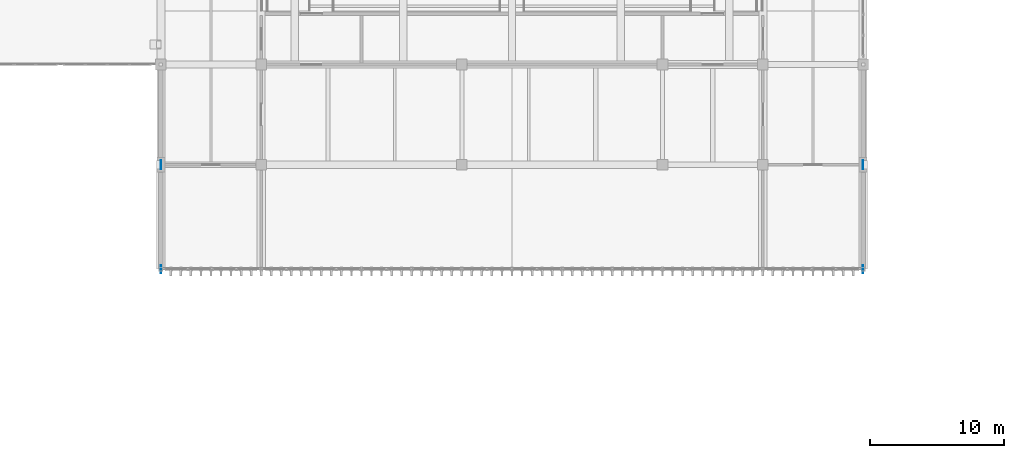
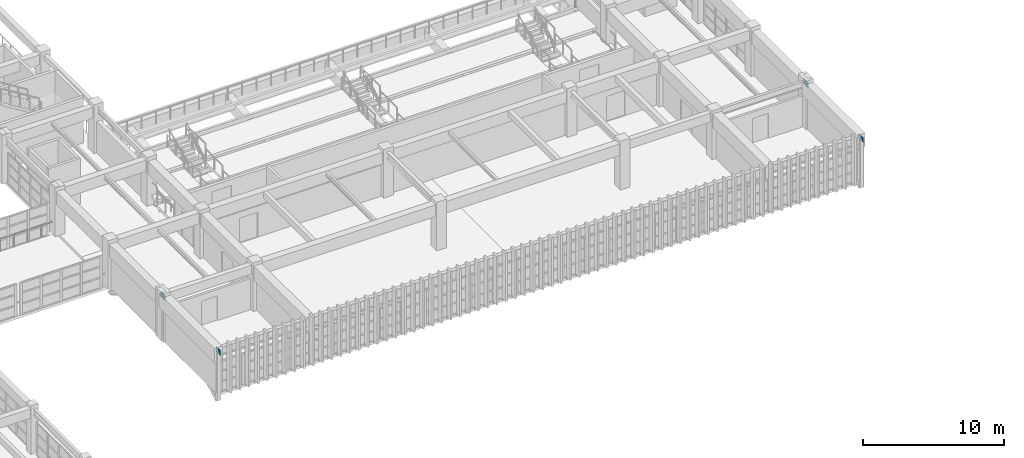
# One storey, part 87 of 124: 4 plates.
"""IFC4 building model written with IfcOpenShell, lengths in metres."""

from ifc_helpers import new_model, si_unit, direction, frame, origin, origin_2d, place, context, subcontext, project, spatial, rectangle, extrude, material, layer, layer_set, type_object, element, save


model = new_model("IFC4")

# Units and contexts
model_context = context("Model", 3, precision=1e-05, world=origin(), true_north=direction((0.0, 1.0)))
body_context = subcontext(model_context, "Body", "Model", "MODEL_VIEW")
ifc_project = project(units=[si_unit("LENGTHUNIT", "METRE"), si_unit("AREAUNIT", "SQUARE_METRE"), si_unit("VOLUMEUNIT", "CUBIC_METRE"), si_unit("PLANEANGLEUNIT", "RADIAN"), si_unit("MASSUNIT", "GRAM", prefix="KILO")], contexts=[model_context])

# Site, building, storey
site_placement = place(None, origin())
site = spatial("IfcSite", under=ifc_project, at=site_placement, CompositionType="ELEMENT")
building_placement = place(site_placement, origin())
building = spatial("IfcBuilding", under=site, at=building_placement, Name="Qasida Concert Hall", CompositionType="ELEMENT")
storey_placement = place(building_placement, frame((0.0, 0.0, 9.0)))
storey = spatial("IfcBuildingStorey", under=building, at=storey_placement, Name="L02", CompositionType="ELEMENT", Elevation=9.0)

# Plates
ifc_material = material(Name="Steel S355J2", Category="steel")
ifc_layer_1 = layer(ifc_material, 0.035888671875, Name="Steel S355J2")
ifc_layer_set_1 = layer_set([ifc_layer_1], Name="Steel S355J2")
plate_type_1 = type_object("IfcPlateType", Name="PLT-PL-KN1", PredefinedType="USERDEFINED", material=ifc_layer_set_1)
for number, where, z_axis, x_axis, name in (
    (1, (52.5, 14.699951171875, 3.400146484375), (0.0, 0.0, 1.0), (1.0, 0.0, 0.0), "Wall truss node plate KN-0003"),
    (2, (105.0, 14.699951171875, 3.400146484375), (0.0, 0.0, 1.0), (1.0, 0.0, 0.0), "Wall truss node plate KN-0013"),
):
    element("IfcPlate", number, at=place(storey_placement, frame(where, z_axis=z_axis, x_axis=x_axis)), inside=storey, type_object=plate_type_1, Name=name, ObjectType="GUSSET_PLATE", PredefinedType="USERDEFINED", context=body_context, shape_type="SweptSolid", body=[
        extrude(rectangle(XDim=0.035888671875, YDim=0.60009765625, at=origin_2d()), origin(), (0.0, 0.0, 1.0), 0.39990234375),
    ])
ifc_layer_2 = layer(ifc_material, 0.0380859375, Name="Steel S355J2")
ifc_layer_set_2 = layer_set([ifc_layer_2], Name="Steel S355J2")
plate_type_2 = type_object("IfcPlateType", Name="PLT-PL-KN5", PredefinedType="USERDEFINED", material=ifc_layer_set_2)
for number, where, z_axis, x_axis, name in (
    (3, (52.5, 22.5, 3.380126953125), (0.0, 0.0, 1.0), (1.0, 0.0, 0.0), "Wall truss node plate KN-0004"),
    (4, (105.0, 22.5, 3.380126953125), (0.0, 0.0, 1.0), (1.0, 0.0, 0.0), "Wall truss node plate KN-0014"),
):
    element("IfcPlate", number, at=place(storey_placement, frame(where, z_axis=z_axis, x_axis=x_axis)), inside=storey, type_object=plate_type_2, Name=name, ObjectType="GUSSET_PLATE", PredefinedType="USERDEFINED", context=body_context, shape_type="SweptSolid", body=[
        extrude(rectangle(XDim=0.0380859375, YDim=0.659912109375, at=origin_2d()), origin(), (0.0, 0.0, 1.0), 0.43994140625),
    ])

save(model, "model.ifc")
